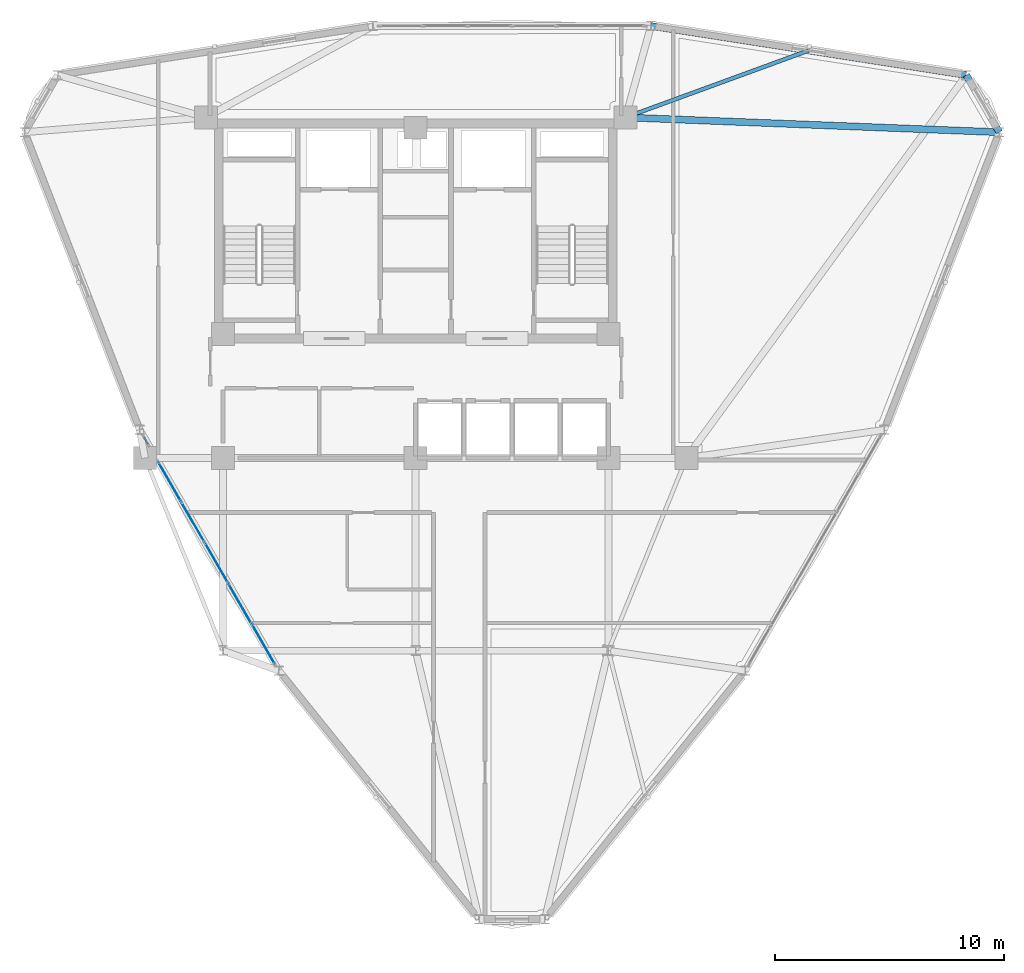
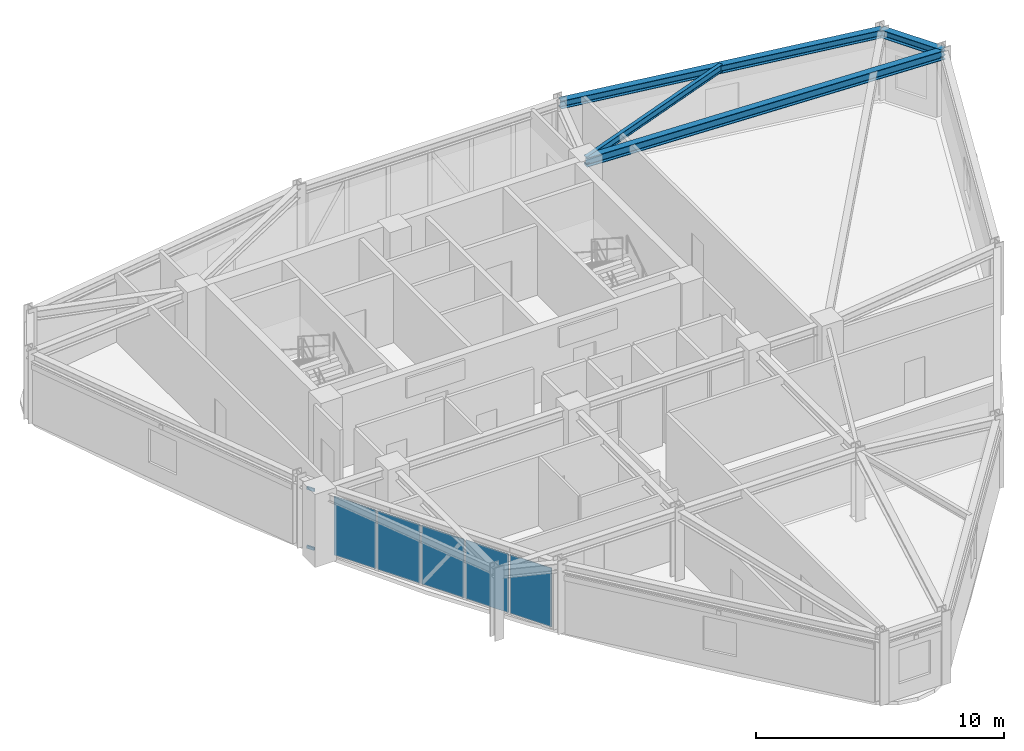
# One storey, part 10 of 16: 5 plates, 4 beams, 2 members, 2 elements without a shape of their own.
"""IFC4 building model written with IfcOpenShell, lengths in metres."""

from ifc_helpers import new_model, si_unit, derived_unit, direction, frame, origin, origin_2d, place, context, subcontext, project, spatial, rectangle, hollow_rectangle, i_section, extrude, source, transform, mapped, material, layer, layer_set, material_profile, profile_set, type_object, element, aggregate, save


model = new_model("IFC4")

# Units and contexts
model_context = context("Model", 3, precision=1e-05, world=origin(), true_north=direction((0.0, 1.0)))
body_context = subcontext(model_context, "Body", "Model", "MODEL_VIEW")
ifc_project = project(units=[si_unit("LENGTHUNIT", "METRE"), si_unit("AREAUNIT", "SQUARE_METRE"), si_unit("VOLUMEUNIT", "CUBIC_METRE"), si_unit("PLANEANGLEUNIT", "RADIAN"), si_unit("MASSUNIT", "GRAM", prefix="KILO"), derived_unit("THERMALTRANSMITTANCEUNIT", [(si_unit("POWERUNIT", "WATT"), 1), (si_unit("LENGTHUNIT", "METRE"), -2), (si_unit("THERMODYNAMICTEMPERATUREUNIT", "KELVIN"), -1)])], contexts=[model_context])

# Site, building, storey
site_placement = place(None, origin())
site = spatial("IfcSite", under=ifc_project, at=site_placement, CompositionType="ELEMENT")
building_placement = place(site_placement, origin())
building = spatial("IfcBuilding", under=site, at=building_placement, Name="Korsvarv Bourse and Concert Hall", CompositionType="ELEMENT")
storey_placement = place(building_placement, frame((0.0, 0.0, 231.0)))
storey = spatial("IfcBuildingStorey", under=building, at=storey_placement, Name="L60", CompositionType="ELEMENT", Elevation=231.0)

# Beams
ifc_material_1 = material(Name="Steel S355", Category="steel")
ifc_material_profile_1 = material_profile(ifc_material_1, i_section(OverallWidth=0.300048828125, OverallDepth=0.389892578125, WebThickness=0.010986328125, FlangeThickness=0.01904296875, FilletRadius=0.02099609375, at=origin_2d()), Name="HEA 400")
ifc_profile_set_1 = profile_set([ifc_material_profile_1], Name="Steel S355")
beam_type_1 = type_object("IfcBeamType", Name="BM-HEA400", PredefinedType="BEAM", material=ifc_profile_set_1)
shared_shape_1 = source(origin(), body_context, "Body", "SweptSolid", [
    extrude(i_section(OverallWidth=0.300048828125, OverallDepth=0.389892578125, WebThickness=0.010986328125, FlangeThickness=0.01904296875, FilletRadius=0.02099609375, at=origin_2d()), origin(), (0.0, 0.0, 1.0), 2.876708984375),
])
beam_1_placement = place(storey_placement, frame((61.447265625, 46.606201171875, 3.215087890625), z_axis=(-0.499945292477, 0.866056986884, 0.0), x_axis=(-0.866056986884, -0.499945292477, 0.0)))
element("IfcBeam", 1, at=beam_1_placement, inside=storey, type_object=beam_type_1, Name="L60 beam B-11", PredefinedType="BEAM", context=body_context, shape_type="MappedRepresentation", body=[
    mapped(shared_shape_1, transform((0.0, 0.0, 0.0), scale=1.0)),
])
shared_shape_2 = source(origin(), body_context, "Body", "SweptSolid", [
    extrude(i_section(OverallWidth=0.300048828125, OverallDepth=0.389892578125, WebThickness=0.010986328125, FlangeThickness=0.01904296875, FilletRadius=0.02099609375, at=origin_2d()), origin(), (0.0, 0.0, 1.0), 13.913330078125),
])
beam_2_placement = place(storey_placement, frame((60.009033203125, 49.09765625, 3.215087890625), z_axis=(-0.988060911996, 0.154063734169, 0.0), x_axis=(-0.154063734169, -0.988060911996, 0.0)))
element("IfcBeam", 2, at=beam_2_placement, inside=storey, type_object=beam_type_1, Name="L60 beam B-11", PredefinedType="BEAM", context=body_context, shape_type="MappedRepresentation", body=[
    mapped(shared_shape_2, transform((0.0, 0.0, 0.0), scale=1.0)),
])
ifc_material_profile_2 = material_profile(ifc_material_1, i_section(OverallWidth=0.300048828125, OverallDepth=0.449951171875, WebThickness=0.013916015625, FlangeThickness=0.02587890625, FilletRadius=0.02099609375, at=origin_2d()), Name="HEB 450")
ifc_profile_set_2 = profile_set([ifc_material_profile_2], Name="Steel S355")
beam_type_2 = type_object("IfcBeamType", Name="BM-HEB450", PredefinedType="SPANDREL", material=ifc_profile_set_2)
shared_shape_3 = source(origin(), body_context, "Body", "SweptSolid", [
    extrude(i_section(OverallWidth=0.300048828125, OverallDepth=0.449951171875, WebThickness=0.013916015625, FlangeThickness=0.02587890625, FilletRadius=0.02099609375, at=origin_2d()), origin(), (0.0, 0.0, 1.0), 16.31005859375),
])
beam_3_placement = place(storey_placement, frame((61.447265625, 46.606201171875, 3.18505859375), z_axis=(-0.999220658598, 0.039472464223, 0.0), x_axis=(-0.039472464223, -0.999220658598, 0.0)))
element("IfcBeam", 3, at=beam_3_placement, inside=storey, type_object=beam_type_2, Name="L60 beam B-08", PredefinedType="SPANDREL", context=body_context, shape_type="MappedRepresentation", body=[
    mapped(shared_shape_3, transform((0.0, 0.0, 0.0), scale=1.0)),
])
ifc_material_profile_3 = material_profile(ifc_material_1, i_section(OverallWidth=0.169921875, OverallDepth=0.360107421875, WebThickness=0.008056640625, FlangeThickness=0.0126953125, FilletRadius=0.01806640625, at=origin_2d()), Name="IPE 360")
ifc_profile_set_3 = profile_set([ifc_material_profile_3], Name="Steel S355")
beam_type_3 = type_object("IfcBeamType", Name="BM-IPE360", PredefinedType="JOIST", material=ifc_profile_set_3)
shared_shape_4 = source(origin(), body_context, "Body", "SweptSolid", [
    extrude(i_section(OverallWidth=0.169921875, OverallDepth=0.360107421875, WebThickness=0.008056640625, FlangeThickness=0.0126953125, FilletRadius=0.01806640625, at=origin_2d()), origin(), (0.0, 0.0, 1.0), 8.50244140625),
])
beam_4_placement = place(storey_placement, frame((53.135498046875, 50.16943359375, 3.22998046875), z_axis=(-0.939203499383, -0.343361015183, 0.0), x_axis=(0.343361015183, -0.939203499383, 0.0)))
element("IfcBeam", 4, at=beam_4_placement, inside=storey, type_object=beam_type_3, Name="L60 beam J-06", PredefinedType="JOIST", context=body_context, shape_type="MappedRepresentation", body=[
    mapped(shared_shape_4, transform((0.0, 0.0, 0.0), scale=1.0)),
])

# Curtain wall, members
ifc_material_2 = material(Name="Anodised aluminium and triple low-E glazing", Category="glass")
ifc_layer_1 = layer(ifc_material_2, 0.199951171875)
ifc_layer_set_1 = layer_set([ifc_layer_1], Name="Anodised aluminium and triple low-E glazing")
curtain_wall_type = type_object("IfcCurtainWallType", Name="CW-SYS-3", PredefinedType="NOTDEFINED", material=ifc_layer_set_1)
curtain_wall_1_placement = place(storey_placement, origin())
curtain_wall_1 = element("IfcCurtainWall", 5, at=curtain_wall_1_placement, inside=storey, type_object=curtain_wall_type, Name="L60 CW3 curtain wall CW-L60-F07-1", PredefinedType="NOTDEFINED")
ifc_material_3 = material(Name="Extruded aluminium EN AW-6063 T66", Category="aluminium")
ifc_material_profile_4 = material_profile(ifc_material_3, hollow_rectangle(XDim=0.06494140625, YDim=0.139892578125, WallThickness=0.00390625, at=origin_2d()), Name="ALU-T 65x140")
ifc_profile_set_4 = profile_set([ifc_material_profile_4], Name="Extruded aluminium EN AW-6063 T66")
member_type = type_object("IfcMemberType", Name="CWT-140", PredefinedType="USERDEFINED", material=ifc_profile_set_4)
shared_shape_5 = source(origin(), body_context, "Body", "SweptSolid", [
    extrude(hollow_rectangle(XDim=0.06494140625, YDim=0.139892578125, WallThickness=0.00390625, at=origin_2d()), origin(), (0.0, 0.0, 1.0), 0.34619140625),
])
member_1_placement = place(storey_placement, frame((24.15380859375, 33.310546875, 0.032470703125), z_axis=(0.500007335828, -0.866021168401, 0.0), x_axis=(0.866021168401, 0.500007335828, 0.0)))
member_1 = element("IfcMember", 6, at=member_1_placement, type_object=member_type, Name="CW3 transom 1.1", ObjectType="TRANSOM", PredefinedType="USERDEFINED", context=body_context, shape_type="MappedRepresentation", body=[
    mapped(shared_shape_5, transform((0.0, 0.0, 0.0), scale=1.0)),
])
member_2_placement = place(storey_placement, frame((24.15380859375, 33.310546875, 2.927490234375), z_axis=(0.500007335828, -0.866021168401, 0.0), x_axis=(0.866021168401, 0.500007335828, 0.0)))
member_2 = element("IfcMember", 7, at=member_2_placement, type_object=member_type, Name="CW3 transom 1.2", ObjectType="TRANSOM", PredefinedType="USERDEFINED", context=body_context, shape_type="MappedRepresentation", body=[
    mapped(shared_shape_5, transform((0.0, 0.0, 0.0), scale=1.0)),
])
aggregate(curtain_wall_1, [member_1, member_2])

# Curtain wall, plates
curtain_wall_2_placement = place(storey_placement, origin())
curtain_wall_2 = element("IfcCurtainWall", 8, at=curtain_wall_2_placement, inside=storey, type_object=curtain_wall_type, Name="L60 CW3 curtain wall CW-L60-F07-2", PredefinedType="NOTDEFINED")
ifc_material_4 = material(Name="Tempered triple insulated low-E architectural glass", Category="glass")
ifc_layer_2 = layer(ifc_material_4, 0.0380859375)
ifc_layer_set_2 = layer_set([ifc_layer_2], Name="Tempered triple insulated low-E architectural glass")
plate_type_1 = type_object("IfcPlateType", Name="CWP-VIS2", PredefinedType="CURTAIN_PANEL", material=ifc_layer_set_2)
shared_shape_6 = source(origin(), body_context, "Body", "SweptSolid", [
    extrude(rectangle(XDim=1.947998046875, YDim=0.0380859375, at=origin_2d()), origin(), (0.0, 0.0, 1.0), 2.889892578125),
])
plate_1_placement = place(storey_placement, frame((25.27197265625, 31.373779296875, 0.06494140625), z_axis=(0.0, 0.0, 1.0), x_axis=(0.499999881045, -0.866025472463, 0.0)))
plate_1 = element("IfcPlate", 9, at=plate_1_placement, type_object=plate_type_1, Name="CW3 faceted panel 1.1", PredefinedType="CURTAIN_PANEL", context=body_context, shape_type="MappedRepresentation", body=[
    mapped(shared_shape_6, transform((0.0, 0.0, 0.0), scale=1.0)),
])
plate_2_placement = place(storey_placement, frame((29.360595703125, 24.2919921875, 0.06494140625), z_axis=(0.0, 0.0, 1.0), x_axis=(0.499999881045, -0.866025472463, 0.0)))
plate_2 = element("IfcPlate", 10, at=plate_2_placement, type_object=plate_type_1, Name="CW3 faceted panel 5.1", PredefinedType="CURTAIN_PANEL", context=body_context, shape_type="MappedRepresentation", body=[
    mapped(shared_shape_6, transform((0.0, 0.0, 0.0), scale=1.0)),
])
shared_shape_7 = source(origin(), body_context, "Body", "SweptSolid", [
    extrude(rectangle(XDim=1.983154296875, YDim=0.0380859375, at=origin_2d()), origin(), (0.0, 0.0, 1.0), 2.889892578125),
])
plate_3_placement = place(storey_placement, frame((26.289794921875, 29.61083984375, 0.06494140625), z_axis=(0.0, 0.0, 1.0), x_axis=(0.499999881045, -0.866025472463, 0.0)))
plate_3 = element("IfcPlate", 11, at=plate_3_placement, type_object=plate_type_1, Name="CW3 faceted panel 2.1", PredefinedType="CURTAIN_PANEL", context=body_context, shape_type="MappedRepresentation", body=[
    mapped(shared_shape_7, transform((0.0, 0.0, 0.0), scale=1.0)),
])
plate_4_placement = place(storey_placement, frame((28.3427734375, 26.054931640625, 0.06494140625), z_axis=(0.0, 0.0, 1.0), x_axis=(0.499999881045, -0.866025472463, 0.0)))
plate_4 = element("IfcPlate", 12, at=plate_4_placement, type_object=plate_type_1, Name="CW3 faceted panel 4.1", PredefinedType="CURTAIN_PANEL", context=body_context, shape_type="MappedRepresentation", body=[
    mapped(shared_shape_7, transform((0.0, 0.0, 0.0), scale=1.0)),
])
ifc_material_5 = material(Name="Insulated spandrel glass", Category="glass")
ifc_layer_3 = layer(ifc_material_5, 0.031982421875)
ifc_layer_set_3 = layer_set([ifc_layer_3], Name="Insulated spandrel glass")
plate_type_2 = type_object("IfcPlateType", Name="CWP-SPD1", PredefinedType="CURTAIN_PANEL", material=ifc_layer_set_3)
shared_shape_8 = source(origin(), body_context, "Body", "SweptSolid", [
    extrude(rectangle(XDim=1.983154296875, YDim=0.031982421875, at=origin_2d()), origin(), (0.0, 0.0, 1.0), 2.889892578125),
])
plate_5_placement = place(storey_placement, frame((27.31640625, 27.832763671875, 0.06494140625), z_axis=(0.0, 0.0, 1.0), x_axis=(0.499999881045, -0.866025472463, 0.0)))
plate_5 = element("IfcPlate", 13, at=plate_5_placement, type_object=plate_type_2, Name="CW3 spandrel shadow-box panel 3.1", PredefinedType="CURTAIN_PANEL", context=body_context, shape_type="MappedRepresentation", body=[
    mapped(shared_shape_8, transform((0.0, 0.0, 0.0), scale=1.0)),
])
aggregate(curtain_wall_2, [plate_1, plate_3, plate_5, plate_4, plate_2])

save(model, "model.ifc")
